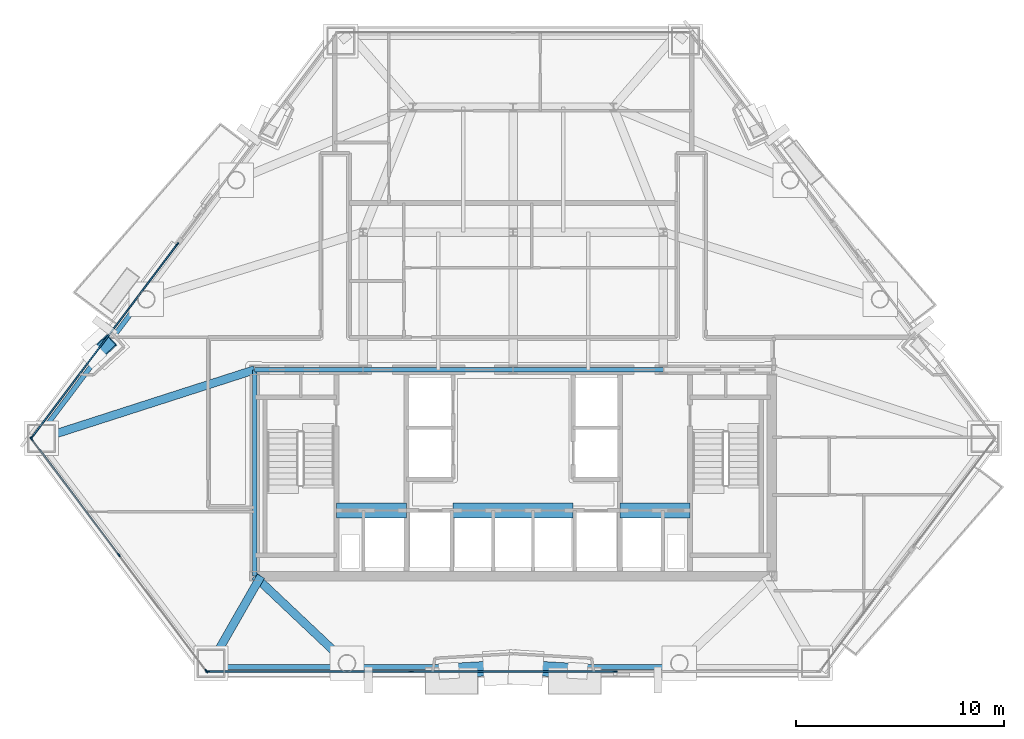
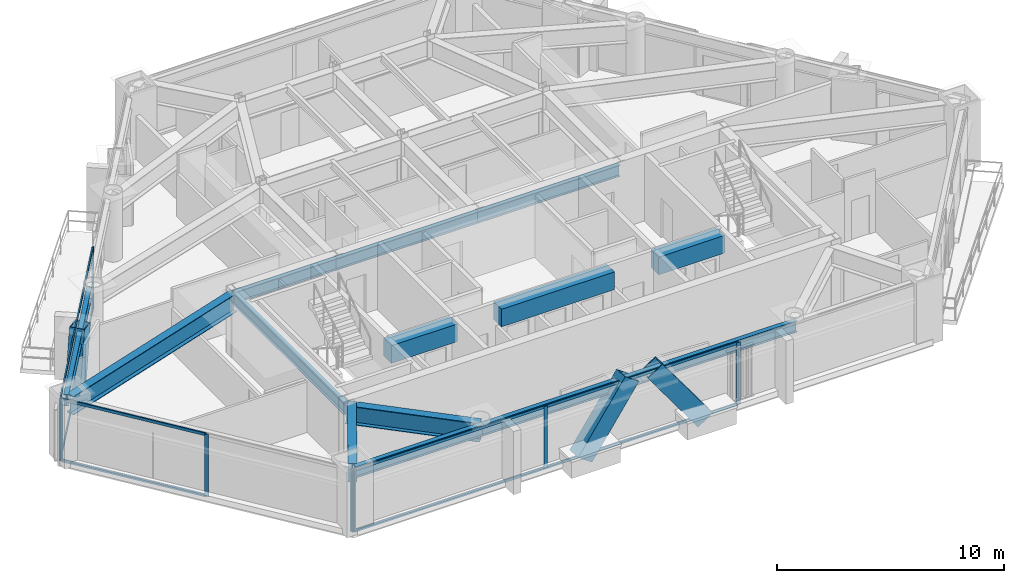
# One storey, part 2 of 11: 19 members, 13 beams, 3 elements without a shape of their own.
"""IFC4 building model written with IfcOpenShell, lengths in metres."""

from ifc_helpers import new_model, si_unit, direction, frame, origin, origin_2d, place, context, subcontext, project, spatial, rectangle, hollow_rectangle, i_section, extrude, material, layer, layer_set, material_profile, profile_set, type_object, element, aggregate, save


model = new_model("IFC4")

# Units and contexts
model_context = context("Model", 3, precision=1e-05, world=origin(), true_north=direction((0.0, 1.0)))
body_context = subcontext(model_context, "Body", "Model", "MODEL_VIEW")
ifc_project = project(units=[si_unit("LENGTHUNIT", "METRE"), si_unit("AREAUNIT", "SQUARE_METRE"), si_unit("VOLUMEUNIT", "CUBIC_METRE"), si_unit("PLANEANGLEUNIT", "RADIAN"), si_unit("MASSUNIT", "GRAM", prefix="KILO")], contexts=[model_context])

# Site, building, storey
site_placement = place(None, origin())
site = spatial("IfcSite", under=ifc_project, at=site_placement, CompositionType="ELEMENT")
building_placement = place(site_placement, origin())
building = spatial("IfcBuilding", under=site, at=building_placement, Name="Talgorran Terracotta Tower", CompositionType="ELEMENT")
storey_placement = place(building_placement, frame((0.0, 0.0, 35.10009765625)))
storey = spatial("IfcBuildingStorey", under=building, at=storey_placement, Name="L08", CompositionType="ELEMENT", Elevation=35.10009765625)

# Beams
ifc_material_1 = material(Name="Steel Grade 350 (350L0)", Category="steel")
ifc_material_profile_1 = material_profile(ifc_material_1, i_section(OverallWidth=0.39990234375, OverallDepth=1.0, WebThickness=0.01611328125, FlangeThickness=0.031005859375, at=origin_2d()), Name="1000WB296")
ifc_profile_set_1 = profile_set([ifc_material_profile_1], Name="Steel Grade 350 (350L0)")
beam_type_1 = type_object("IfcBeamType", Name="BM_1000WB296", PredefinedType="BEAM", material=ifc_profile_set_1)
beam_1_placement = place(storey_placement, frame((-7.97265625, -18.280029296875, 2.849853515625), z_axis=(-0.727124342691, 0.686505783126, 0.0), x_axis=(-0.686505783126, -0.727124342691, 0.0)))
element("IfcBeam", 1, at=beam_1_placement, inside=storey, type_object=beam_type_1, Name="L08 South-West Core Tie Beam", PredefinedType="BEAM", context=body_context, shape_type="SweptSolid", body=[
    extrude(i_section(OverallWidth=0.39990234375, OverallDepth=1.0, WebThickness=0.01611328125, FlangeThickness=0.031005859375, at=origin_2d()), origin(), (0.0, 0.0, 1.0), 6.088623046875),
])
beam_2_placement = place(storey_placement, frame((-14.495849609375, -18.280029296875, 2.849853515625), z_axis=(0.497268168381, 0.867596892984, 0.0), x_axis=(-0.867596892984, 0.497268168381, 0.0)))
element("IfcBeam", 2, at=beam_2_placement, inside=storey, type_object=beam_type_1, Name="L08 Perimeter Step Girder 2", PredefinedType="BEAM", context=body_context, shape_type="SweptSolid", body=[
    extrude(i_section(OverallWidth=0.39990234375, OverallDepth=1.0, WebThickness=0.01611328125, FlangeThickness=0.031005859375, at=origin_2d()), origin(), (0.0, 0.0, 1.0), 4.81787109375),
])
beam_3_placement = place(storey_placement, frame((-12.39990234375, -4.199951171875, 2.849853515625), z_axis=(-0.951935828117, -0.306297533694, 0.0), x_axis=(0.306297533694, -0.951935828117, 0.0)))
element("IfcBeam", 3, at=beam_3_placement, inside=storey, type_object=beam_type_1, Name="L08 Floor Girder G17", PredefinedType="BEAM", context=body_context, shape_type="SweptSolid", body=[
    extrude(i_section(OverallWidth=0.39990234375, OverallDepth=1.0, WebThickness=0.01611328125, FlangeThickness=0.031005859375, at=origin_2d()), origin(), (0.0, 0.0, 1.0), 10.742919921875),
])
ifc_material_2 = material(Name="Concrete C65/80", Category="concrete")
ifc_material_profile_2 = material_profile(ifc_material_2, rectangle(XDim=0.699951171875, YDim=0.949951171875, at=origin_2d()), Name="RCCB700X950")
ifc_profile_set_2 = profile_set([ifc_material_profile_2], Name="Concrete C65/80")
beam_type_2 = type_object("IfcBeamType", Name="BM_CB_700X950", PredefinedType="LINTEL", material=ifc_profile_set_2)
beam_4_placement = place(storey_placement, frame((-8.47998046875, -10.949951171875, 2.875), z_axis=(1.0, 0.0, 0.0), x_axis=(0.0, 1.0, 0.0)))
element("IfcBeam", 4, at=beam_4_placement, inside=storey, type_object=beam_type_2, Name="L08 Core Shear-Wall Coupling Beam CB1", PredefinedType="LINTEL", context=body_context, shape_type="SweptSolid", body=[
    extrude(rectangle(XDim=0.699951171875, YDim=0.949951171875, at=origin_2d()), origin(), (0.0, 0.0, 1.0), 3.35986328125),
])
beam_5_placement = place(storey_placement, frame((-2.8798828125, -10.949951171875, 2.875), z_axis=(1.0, 0.0, 0.0), x_axis=(0.0, 1.0, 0.0)))
element("IfcBeam", 5, at=beam_5_placement, inside=storey, type_object=beam_type_2, Name="L08 Core Shear-Wall Coupling Beam CB2", PredefinedType="LINTEL", context=body_context, shape_type="SweptSolid", body=[
    extrude(rectangle(XDim=0.699951171875, YDim=0.949951171875, at=origin_2d()), origin(), (0.0, 0.0, 1.0), 5.759765625),
])
beam_6_placement = place(storey_placement, frame((5.1201171875, -10.949951171875, 2.875), z_axis=(1.0, 0.0, 0.0), x_axis=(0.0, 1.0, 0.0)))
element("IfcBeam", 6, at=beam_6_placement, inside=storey, type_object=beam_type_2, Name="L08 Core Shear-Wall Coupling Beam CB3", PredefinedType="LINTEL", context=body_context, shape_type="SweptSolid", body=[
    extrude(rectangle(XDim=0.699951171875, YDim=0.949951171875, at=origin_2d()), origin(), (0.0, 0.0, 1.0), 3.35986328125),
])
ifc_material_3 = material(Name="Steel S355 (300PLUS)", Category="steel")
ifc_material_profile_3 = material_profile(ifc_material_3, i_section(OverallWidth=0.22900390625, OverallDepth=0.611572265625, WebThickness=0.011962890625, FlangeThickness=0.01953125, at=origin_2d()), Name="610UB125")
ifc_profile_set_3 = profile_set([ifc_material_profile_3], Name="Steel S355 (300PLUS)")
beam_type_3 = type_object("IfcBeamType", Name="BM_SP_610UB125", PredefinedType="SPANDREL", material=ifc_profile_set_3)
beam_7_placement = place(storey_placement, frame((-14.495849609375, -18.4599609375, 3.044189453125), z_axis=(1.0, 0.0, 0.0), x_axis=(0.0, 1.0, 0.0)))
element("IfcBeam", 7, at=beam_7_placement, inside=storey, type_object=beam_type_3, Name="L08 Perimeter Spandrel Beam MC2-FC1", PredefinedType="SPANDREL", context=body_context, shape_type="SweptSolid", body=[
    extrude(i_section(OverallWidth=0.22900390625, OverallDepth=0.611572265625, WebThickness=0.011962890625, FlangeThickness=0.01953125, at=origin_2d()), origin(), (0.0, 0.0, 1.0), 6.523193359375),
])
beam_8_placement = place(storey_placement, frame((-7.97265625, -18.4599609375, 3.044189453125), z_axis=(1.0, 0.0, 0.0), x_axis=(0.0, 1.0, 0.0)))
element("IfcBeam", 8, at=beam_8_placement, inside=storey, type_object=beam_type_3, Name="L08 Perimeter Spandrel Beam FC1-FC2", PredefinedType="SPANDREL", context=body_context, shape_type="SweptSolid", body=[
    extrude(i_section(OverallWidth=0.22900390625, OverallDepth=0.611572265625, WebThickness=0.011962890625, FlangeThickness=0.01953125, at=origin_2d()), origin(), (0.0, 0.0, 1.0), 15.9453125),
])
beam_9_placement = place(storey_placement, frame((-17.7431640625, -0.710693359375, 3.044189453125), z_axis=(-0.601803503312, -0.798644190739, 0.0), x_axis=(0.798644190739, -0.601803503312, 0.0)))
element("IfcBeam", 9, at=beam_9_placement, inside=storey, type_object=beam_type_3, Name="L08 Perimeter Spandrel Beam FC6-MC1", PredefinedType="SPANDREL", context=body_context, shape_type="SweptSolid", body=[
    extrude(i_section(OverallWidth=0.22900390625, OverallDepth=0.611572265625, WebThickness=0.011962890625, FlangeThickness=0.01953125, at=origin_2d()), origin(), (0.0, 0.0, 1.0), 8.353271484375),
])
beam_10_placement = place(storey_placement, frame((-12.39990234375, -14.10009765625, 3.044189453125), z_axis=(0.0, 1.0, 0.0), x_axis=(-1.0, 0.0, 0.0)))
element("IfcBeam", 10, at=beam_10_placement, inside=storey, type_object=beam_type_3, Name="L08 Core Frame Beam CFW", PredefinedType="SPANDREL", context=body_context, shape_type="SweptSolid", body=[
    extrude(i_section(OverallWidth=0.22900390625, OverallDepth=0.611572265625, WebThickness=0.011962890625, FlangeThickness=0.01953125, at=origin_2d()), origin(), (0.0, 0.0, 1.0), 9.900146484375),
])
beam_11_placement = place(storey_placement, frame((-12.39990234375, -4.199951171875, 3.044189453125), z_axis=(1.0, 0.0, 0.0), x_axis=(0.0, 1.0, 0.0)))
element("IfcBeam", 11, at=beam_11_placement, inside=storey, type_object=beam_type_3, Name="L08 Core Frame Beam CFN1", PredefinedType="SPANDREL", context=body_context, shape_type="SweptSolid", body=[
    extrude(i_section(OverallWidth=0.22900390625, OverallDepth=0.611572265625, WebThickness=0.011962890625, FlangeThickness=0.01953125, at=origin_2d()), origin(), (0.0, 0.0, 1.0), 5.199951171875),
])
for number, where, z_axis, x_axis, name in (
    (12, (-7.199951171875, -4.199951171875, 3.044189453125), (1.0, 0.0, 0.0), (0.0, 1.0, 0.0), "L08 Core Frame Beam CFN2"),
    (13, (0.0, -4.199951171875, 3.044189453125), (1.0, 0.0, 0.0), (0.0, 1.0, 0.0), "L08 Core Frame Beam CFN3"),
):
    element("IfcBeam", number, at=place(storey_placement, frame(where, z_axis=z_axis, x_axis=x_axis)), inside=storey, type_object=beam_type_3, Name=name, PredefinedType="SPANDREL", context=body_context, shape_type="SweptSolid", body=[
        extrude(i_section(OverallWidth=0.22900390625, OverallDepth=0.611572265625, WebThickness=0.011962890625, FlangeThickness=0.01953125, at=origin_2d()), origin(), (0.0, 0.0, 1.0), 7.199951171875),
    ])

# Members
ifc_material_profile_4 = material_profile(ifc_material_1, hollow_rectangle(XDim=0.699951171875, YDim=0.89990234375, WallThickness=0.050048828125, at=origin_2d()), Name="WBOX900X700X50")
ifc_profile_set_4 = profile_set([ifc_material_profile_4], Name="Steel Grade 350 (350L0)")
member_type_1 = type_object("IfcMemberType", Name="MB_MEGA_900", PredefinedType="BRACE", material=ifc_profile_set_4)
for number, where, z_axis, x_axis, name in (
    (14, (-3.081787109375, -18.639892578125, -0.025146484375), (0.587835986091, 0.03429865414, 0.808252717769), (-0.058248253362, 0.998302129107, 0.0), "L08 Exterior Face Mega-Brace MB-1 (SWF)"),
    (15, (3.081787109375, -18.639892578125, -0.025146484375), (-0.587835986091, 0.03429865414, 0.808252717769), (-0.058248253362, -0.998302129107, 0.0), "L08 Exterior Face Mega-Brace MB-1 (SEF)"),
):
    element("IfcMember", number, at=place(storey_placement, frame(where, z_axis=z_axis, x_axis=x_axis)), inside=storey, type_object=member_type_1, Name=name, PredefinedType="BRACE", context=body_context, shape_type="SweptSolid", body=[
        extrude(hollow_rectangle(XDim=0.699951171875, YDim=0.89990234375, WallThickness=0.050048828125, at=origin_2d()), origin(), (0.0, 0.0, 1.0), 4.206787109375),
    ])
member_1_placement = place(storey_placement, frame((-20.1064453125, -3.548095703125, -0.025146484375), z_axis=(0.155410861235, 0.141933496575, 0.977600300102), x_axis=(-0.674364255073, 0.738398843092, 0.0)))
element("IfcMember", 16, at=member_1_placement, inside=storey, type_object=member_type_1, Name="L08 Exterior Face Mega-Brace MB-1 (NWL)", PredefinedType="BRACE", context=body_context, shape_type="SweptSolid", body=[
    extrude(hollow_rectangle(XDim=0.699951171875, YDim=0.89990234375, WallThickness=0.050048828125, at=origin_2d()), origin(), (0.0, 0.0, 1.0), 3.47802734375),
])

# Curtain wall, members
ifc_material_4 = material(Name="Unitised Low-E Double Glazing", Category="glass")
ifc_layer = layer(ifc_material_4, 0.199951171875, Name="CW_SYS2_RES_LOW")
ifc_layer_set = layer_set([ifc_layer], Name="Unitised Low-E Double Glazing")
curtain_wall_type = type_object("IfcCurtainWallType", Name="CW_SYS2_RES_LOW", PredefinedType="NOTDEFINED", material=ifc_layer_set)
curtain_wall_1_placement = place(storey_placement, origin())
curtain_wall_1 = element("IfcCurtainWall", 17, at=curtain_wall_1_placement, inside=storey, type_object=curtain_wall_type, Name="CW-L08-F0", PredefinedType="NOTDEFINED")
ifc_material_5 = material(Name="Architectural Aluminium 6063-T6", Category="aluminium")
ifc_material_profile_5 = material_profile(ifc_material_5, rectangle(XDim=0.06494140625, YDim=0.18505859375, at=origin_2d()), Name="CWM65X185")
ifc_profile_set_5 = profile_set([ifc_material_profile_5], Name="Architectural Aluminium 6063-T6")
member_type_2 = type_object("IfcMemberType", Name="MUL_65X185", PredefinedType="MULLION", material=ifc_profile_set_5)
member_2_placement = place(storey_placement, frame((-23.107666015625, -7.516357421875, 0.0), z_axis=(0.0, 0.0, 1.0), x_axis=(0.79863785641, 0.60181190941, 0.0)))
member_2 = element("IfcMember", 18, at=member_2_placement, type_object=member_type_2, Name="CW-L08-0 mullion 1", PredefinedType="MULLION", context=body_context, shape_type="SweptSolid", body=[
    extrude(rectangle(XDim=0.06494140625, YDim=0.18505859375, at=origin_2d()), origin(), (0.0, 0.0, 1.0), 3.349853515625),
])
member_3_placement = place(storey_placement, frame((-18.911376953125, -13.085205078125, 0.0), z_axis=(0.0, 0.0, 1.0), x_axis=(0.79863785641, 0.60181190941, 0.0)))
member_3 = element("IfcMember", 19, at=member_3_placement, type_object=member_type_2, Name="CW-L08-0 mullion 2", PredefinedType="MULLION", context=body_context, shape_type="SweptSolid", body=[
    extrude(rectangle(XDim=0.06494140625, YDim=0.18505859375, at=origin_2d()), origin(), (0.0, 0.0, 1.0), 3.349853515625),
])
member_4_placement = place(storey_placement, frame((-14.71484375, -18.654052734375, 0.0), z_axis=(0.0, 0.0, 1.0), x_axis=(0.79863785641, 0.60181190941, 0.0)))
member_4 = element("IfcMember", 20, at=member_4_placement, type_object=member_type_2, Name="CW-L08-0 mullion 3", PredefinedType="MULLION", context=body_context, shape_type="SweptSolid", body=[
    extrude(rectangle(XDim=0.06494140625, YDim=0.18505859375, at=origin_2d()), origin(), (0.0, 0.0, 1.0), 3.349853515625),
])

curtain_wall_2_placement = place(storey_placement, origin())
curtain_wall_2 = element("IfcCurtainWall", 21, at=curtain_wall_2_placement, inside=storey, type_object=curtain_wall_type, Name="CW-L08-F1", PredefinedType="NOTDEFINED")
member_5_placement = place(storey_placement, frame((-14.662841796875, -18.679931640625, 0.0), z_axis=(0.0, 0.0, 1.0), x_axis=(0.0, 1.0, 0.0)))
member_5 = element("IfcMember", 22, at=member_5_placement, type_object=member_type_2, Name="CW-L08-1 mullion 1", PredefinedType="MULLION", context=body_context, shape_type="SweptSolid", body=[
    extrude(rectangle(XDim=0.06494140625, YDim=0.18505859375, at=origin_2d()), origin(), (0.0, 0.0, 1.0), 3.349853515625),
])
member_6_placement = place(storey_placement, frame((-4.8984375, -18.679931640625, 0.0), z_axis=(0.0, 0.0, 1.0), x_axis=(0.0, 1.0, 0.0)))
member_6 = element("IfcMember", 23, at=member_6_placement, type_object=member_type_2, Name="CW-L08-1 mullion 2", PredefinedType="MULLION", context=body_context, shape_type="SweptSolid", body=[
    extrude(rectangle(XDim=0.06494140625, YDim=0.18505859375, at=origin_2d()), origin(), (0.0, 0.0, 1.0), 3.349853515625),
])
member_7_placement = place(storey_placement, frame((4.8984375, -18.679931640625, 0.0), z_axis=(0.0, 0.0, 1.0), x_axis=(0.0, 1.0, 0.0)))
member_7 = element("IfcMember", 24, at=member_7_placement, type_object=member_type_2, Name="CW-L08-1 mullion 3", PredefinedType="MULLION", context=body_context, shape_type="SweptSolid", body=[
    extrude(rectangle(XDim=0.06494140625, YDim=0.18505859375, at=origin_2d()), origin(), (0.0, 0.0, 1.0), 3.349853515625),
])

curtain_wall_3_placement = place(storey_placement, origin())
curtain_wall_3 = element("IfcCurtainWall", 25, at=curtain_wall_3_placement, inside=storey, type_object=curtain_wall_type, Name="CW-L08-F61", PredefinedType="NOTDEFINED")
member_8_placement = place(storey_placement, frame((-16.113037109375, 1.81787109375, 0.0), z_axis=(0.0, 0.0, 1.0), x_axis=(0.798639052149, -0.601810322595, 0.0)))
member_8 = element("IfcMember", 26, at=member_8_placement, type_object=member_type_2, Name="CW-L08-61 mullion 1", PredefinedType="MULLION", context=body_context, shape_type="SweptSolid", body=[
    extrude(rectangle(XDim=0.06494140625, YDim=0.18505859375, at=origin_2d()), origin(), (0.0, 0.0, 1.0), 3.349853515625),
])
member_9_placement = place(storey_placement, frame((-23.083740234375, -7.4326171875, 0.0), z_axis=(0.0, 0.0, 1.0), x_axis=(0.798639052149, -0.601810322595, 0.0)))
member_9 = element("IfcMember", 27, at=member_9_placement, type_object=member_type_2, Name="CW-L08-61 mullion 2", PredefinedType="MULLION", context=body_context, shape_type="SweptSolid", body=[
    extrude(rectangle(XDim=0.06494140625, YDim=0.18505859375, at=origin_2d()), origin(), (0.0, 0.0, 1.0), 3.349853515625),
])

# Member
ifc_material_profile_6 = material_profile(ifc_material_5, rectangle(XDim=0.06494140625, YDim=0.14990234375, at=origin_2d()), Name="CWT65X150")
ifc_profile_set_6 = profile_set([ifc_material_profile_6], Name="Architectural Aluminium 6063-T6")
member_type_3 = type_object("IfcMemberType", Name="TRN_65X150", PredefinedType="USERDEFINED", material=ifc_profile_set_6)
member_10_placement = place(storey_placement, frame((-23.088134765625, -7.542236328125, 0.032470703125), z_axis=(0.601796664626, -0.798649343858, 0.0), x_axis=(0.798649343858, 0.601796664626, 0.0)))
member_10 = element("IfcMember", 28, at=member_10_placement, type_object=member_type_3, Name="CW-L08-0 transom 1.1", ObjectType="TRANSOM", PredefinedType="USERDEFINED", context=body_context, shape_type="SweptSolid", body=[
    extrude(rectangle(XDim=0.06494140625, YDim=0.14990234375, at=origin_2d()), origin(), (0.0, 0.0, 1.0), 6.907958984375),
])

member_11_placement = place(storey_placement, frame((-23.088134765625, -7.542236328125, 3.3173828125), z_axis=(0.601796664626, -0.798649343858, 0.0), x_axis=(0.798649343858, 0.601796664626, 0.0)))
member_11 = element("IfcMember", 29, at=member_11_placement, type_object=member_type_3, Name="CW-L08-0 transom 1.2", ObjectType="TRANSOM", PredefinedType="USERDEFINED", context=body_context, shape_type="SweptSolid", body=[
    extrude(rectangle(XDim=0.06494140625, YDim=0.14990234375, at=origin_2d()), origin(), (0.0, 0.0, 1.0), 6.907958984375),
])

aggregate(curtain_wall_1, [member_2, member_3, member_4, member_10, member_11])

member_12_placement = place(storey_placement, frame((-14.63037109375, -18.679931640625, 0.032470703125), z_axis=(1.0, 0.0, 0.0), x_axis=(0.0, 1.0, 0.0)))
member_12 = element("IfcMember", 30, at=member_12_placement, type_object=member_type_3, Name="CW-L08-1 transom 1.1", ObjectType="TRANSOM", PredefinedType="USERDEFINED", context=body_context, shape_type="SweptSolid", body=[
    extrude(rectangle(XDim=0.06494140625, YDim=0.14990234375, at=origin_2d()), origin(), (0.0, 0.0, 1.0), 9.699462890625),
])

member_13_placement = place(storey_placement, frame((-14.63037109375, -18.679931640625, 3.3173828125), z_axis=(1.0, 0.0, 0.0), x_axis=(0.0, 1.0, 0.0)))
member_13 = element("IfcMember", 31, at=member_13_placement, type_object=member_type_3, Name="CW-L08-1 transom 1.2", ObjectType="TRANSOM", PredefinedType="USERDEFINED", context=body_context, shape_type="SweptSolid", body=[
    extrude(rectangle(XDim=0.06494140625, YDim=0.14990234375, at=origin_2d()), origin(), (0.0, 0.0, 1.0), 9.699462890625),
])

member_14_placement = place(storey_placement, frame((-4.865966796875, -18.679931640625, 0.032470703125), z_axis=(1.0, 0.0, 0.0), x_axis=(0.0, 1.0, 0.0)))
member_14 = element("IfcMember", 32, at=member_14_placement, type_object=member_type_3, Name="CW-L08-1 transom 2.1", ObjectType="TRANSOM", PredefinedType="USERDEFINED", context=body_context, shape_type="SweptSolid", body=[
    extrude(rectangle(XDim=0.06494140625, YDim=0.14990234375, at=origin_2d()), origin(), (0.0, 0.0, 1.0), 9.73193359375),
])

member_15_placement = place(storey_placement, frame((-4.865966796875, -18.679931640625, 3.3173828125), z_axis=(1.0, 0.0, 0.0), x_axis=(0.0, 1.0, 0.0)))
member_15 = element("IfcMember", 33, at=member_15_placement, type_object=member_type_3, Name="CW-L08-1 transom 2.2", ObjectType="TRANSOM", PredefinedType="USERDEFINED", context=body_context, shape_type="SweptSolid", body=[
    extrude(rectangle(XDim=0.06494140625, YDim=0.14990234375, at=origin_2d()), origin(), (0.0, 0.0, 1.0), 9.73193359375),
])

aggregate(curtain_wall_2, [member_5, member_6, member_7, member_12, member_13, member_14, member_15])

member_16_placement = place(storey_placement, frame((-16.132568359375, 1.7919921875, 0.032470703125), z_axis=(-0.601806154801, -0.798642192752, 0.0), x_axis=(0.798642192752, -0.601806154801, 0.0)))
member_16 = element("IfcMember", 34, at=member_16_placement, type_object=member_type_3, Name="CW-L08-61 transom 1.1", ObjectType="TRANSOM", PredefinedType="USERDEFINED", context=body_context, shape_type="SweptSolid", body=[
    extrude(rectangle(XDim=0.06494140625, YDim=0.14990234375, at=origin_2d()), origin(), (0.0, 0.0, 1.0), 11.517578125),
])

member_17_placement = place(storey_placement, frame((-16.132568359375, 1.7919921875, 3.3173828125), z_axis=(-0.601806154801, -0.798642192752, 0.0), x_axis=(0.798642192752, -0.601806154801, 0.0)))
member_17 = element("IfcMember", 35, at=member_17_placement, type_object=member_type_3, Name="CW-L08-61 transom 1.2", ObjectType="TRANSOM", PredefinedType="USERDEFINED", context=body_context, shape_type="SweptSolid", body=[
    extrude(rectangle(XDim=0.06494140625, YDim=0.14990234375, at=origin_2d()), origin(), (0.0, 0.0, 1.0), 11.517578125),
])

aggregate(curtain_wall_3, [member_8, member_9, member_16, member_17])

save(model, "model.ifc")
